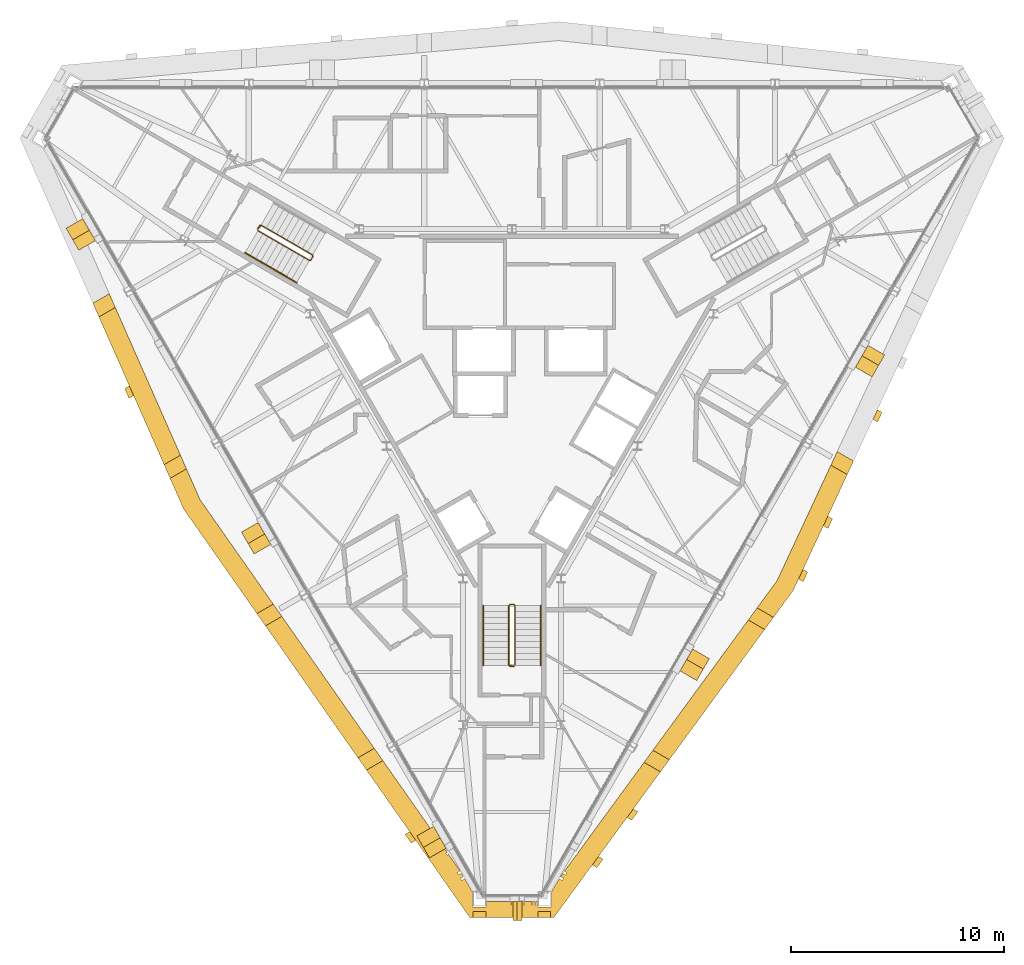
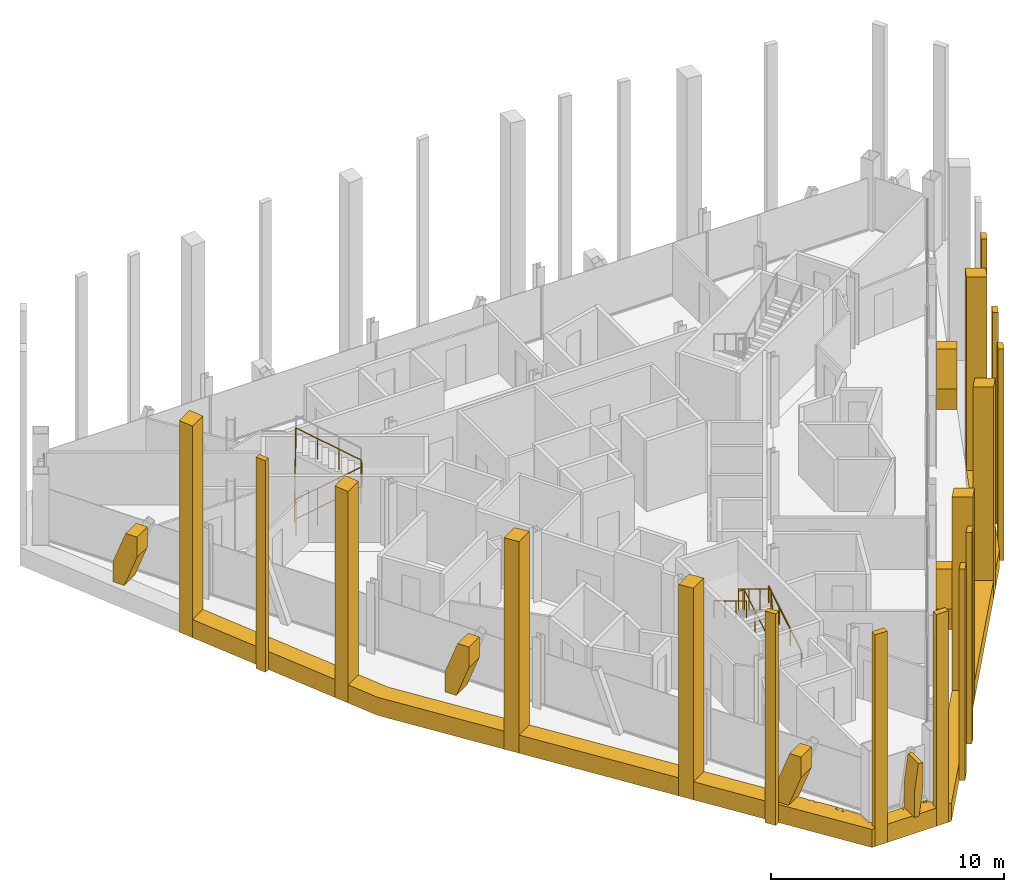
# One storey, part 12 of 13: 28 coverings, 5 railings.
"""IFC4 building model written with IfcOpenShell, lengths in metres."""

from ifc_helpers import new_model, si_unit, direction, frame, origin, origin_2d, place, context, subcontext, project, spatial, polyline, circle, outline, extrude, material, layer, layer_set, type_object, element, save


model = new_model("IFC4")

# Units and contexts
model_context = context("Model", 3, precision=1e-05, world=origin(), true_north=direction((0.0, 1.0)))
body_context = subcontext(model_context, "Body", "Model", "MODEL_VIEW")
ifc_project = project(units=[si_unit("LENGTHUNIT", "METRE"), si_unit("AREAUNIT", "SQUARE_METRE"), si_unit("VOLUMEUNIT", "CUBIC_METRE"), si_unit("PLANEANGLEUNIT", "RADIAN"), si_unit("MASSUNIT", "GRAM", prefix="KILO")], contexts=[model_context])

# Site, building, storey
site_placement = place(None, origin())
site = spatial("IfcSite", under=ifc_project, at=site_placement, CompositionType="ELEMENT")
building_placement = place(site_placement, origin())
building = spatial("IfcBuilding", under=site, at=building_placement, Name="Verrane Prism Tower", CompositionType="ELEMENT")
storey_placement = place(building_placement, frame((0.0, 0.0, 275.10009765625)))
storey = spatial("IfcBuildingStorey", under=building, at=storey_placement, Name="L69", CompositionType="ELEMENT", Elevation=275.10009765625)

# Railings
ifc_material_1 = material(Name="Steel A36 rail and posts, no infill", Category="steel")
railing_type_1 = type_object("IfcRailingType", Name="Stair guard 1100 steel rail and posts", PredefinedType="GUARDRAIL", material=ifc_material_1)
railing_1_placement = place(storey_placement, frame((-11.939453125, 6.72021484375, 0.16796875)))
element("IfcRailing", 1, at=railing_1_placement, inside=storey, type_object=railing_type_1, Name="Stair 2 guard", PredefinedType="GUARDRAIL", context=body_context, shape_type="SweptSolid", body=[
    extrude(circle(Radius=0.02392578125, at=origin_2d()), frame((0.0, 0.0, 1.076171875), z_axis=(0.742366697286, -0.42866220388, 0.514917859203), x_axis=(0.500049511043, 0.865996816683, 0.0)), (0.0, 0.0, 1.0), 3.266357421875),
    extrude(circle(Radius=0.02392578125, at=origin_2d()), frame((2.4248046875, -1.400146484375, 2.7578125), z_axis=(0.965948051503, 0.258736085224, 0.0), x_axis=(-0.258736085224, 0.965948051503, 0.0)), (0.0, 0.0, 1.0), 0.07080078125),
    extrude(circle(Radius=0.02392578125, at=origin_2d()), frame((2.4931640625, -1.3818359375, 2.7578125), z_axis=(0.499158860599, 0.866510491504, 0.0), x_axis=(-0.866510491504, 0.499158860599, 0.0)), (0.0, 0.0, 1.0), 0.199951171875),
    extrude(circle(Radius=0.02392578125, at=origin_2d()), frame((2.593017578125, -1.20849609375, 2.7578125), z_axis=(-0.100385596638, 0.373434419493, 0.922209014446), x_axis=(-0.965715946433, -0.259601060869, 0.0)), (0.0, 0.0, 1.0), 0.182373046875),
    extrude(circle(Radius=0.02392578125, at=origin_2d()), frame((2.57470703125, -1.140380859375, 2.92626953125), z_axis=(-0.742366697286, 0.42866220388, 0.514917859203), x_axis=(-0.500049511043, -0.865996816683, 0.0)), (0.0, 0.0, 1.0), 3.266357421875),
    extrude(circle(Radius=0.02392578125, at=origin_2d()), frame((0.14990234375, 0.259765625, 4.60791015625), z_axis=(-0.04535595117, -0.051675503147, -0.99763343973), x_axis=(0.751567565678, -0.659656118156, 0.0)), (0.0, 0.0, 1.0), 3.708740234375),
    extrude(circle(Radius=0.02392578125, at=origin_2d()), frame((-0.018310546875, 0.068115234375, 0.908203125), z_axis=(0.499158860599, 0.866510491504, 0.0), x_axis=(-0.866510491504, 0.499158860599, 0.0)), (0.0, 0.0, 1.0), 0.199951171875),
    extrude(circle(Radius=0.02099609375, at=origin_2d()), origin(), (0.0, 0.0, 1.0), 1.052001953125),
    extrude(circle(Radius=0.02099609375, at=origin_2d()), frame((0.808349609375, -0.466796875, 0.560546875)), (0.0, 0.0, 1.0), 1.052001953125),
    extrude(circle(Radius=0.02099609375, at=origin_2d()), frame((1.616455078125, -0.933349609375, 1.121337890625)), (0.0, 0.0, 1.0), 1.052001953125),
    extrude(circle(Radius=0.02099609375, at=origin_2d()), frame((2.4248046875, -1.400146484375, 1.681884765625)), (0.0, 0.0, 1.0), 1.052001953125),
    extrude(circle(Radius=0.02099609375, at=origin_2d()), frame((2.4931640625, -1.3818359375, 1.681884765625)), (0.0, 0.0, 1.0), 1.052001953125),
    extrude(circle(Radius=0.02099609375, at=origin_2d()), frame((2.593017578125, -1.20849609375, 1.681884765625)), (0.0, 0.0, 1.0), 1.052001953125),
    extrude(circle(Radius=0.02099609375, at=origin_2d()), frame((2.57470703125, -1.140380859375, 1.85009765625)), (0.0, 0.0, 1.0), 1.052001953125),
    extrude(circle(Radius=0.02099609375, at=origin_2d()), frame((1.766357421875, -0.673583984375, 2.41064453125)), (0.0, 0.0, 1.0), 1.052001953125),
    extrude(circle(Radius=0.02099609375, at=origin_2d()), frame((0.958251953125, -0.20703125, 2.971435546875)), (0.0, 0.0, 1.0), 1.052001953125),
    extrude(circle(Radius=0.02099609375, at=origin_2d()), frame((0.14990234375, 0.259765625, 3.531982421875)), (0.0, 0.0, 1.0), 1.052001953125),
    extrude(circle(Radius=0.02099609375, at=origin_2d()), frame((0.10791015625, 0.2119140625, 2.60693359375)), (0.0, 0.0, 1.0), 1.052001953125),
    extrude(circle(Radius=0.02099609375, at=origin_2d()), frame((0.06591796875, 0.1640625, 1.68212890625)), (0.0, 0.0, 1.0), 1.052001953125),
    extrude(circle(Radius=0.02099609375, at=origin_2d()), frame((0.023681640625, 0.115966796875, 0.757080078125)), (0.0, 0.0, 1.0), 1.052001953125),
    extrude(circle(Radius=0.02099609375, at=origin_2d()), frame((-0.018310546875, 0.068115234375, -0.16796875)), (0.0, 0.0, 1.0), 1.052001953125),
    extrude(circle(Radius=0.02099609375, at=origin_2d()), frame((0.08154296875, 0.241455078125, -0.16796875)), (0.0, 0.0, 1.0), 1.052001953125),
])
railing_2_placement = place(storey_placement, frame((0.14990234375, -13.699951171875, 0.16796875)))
element("IfcRailing", 2, at=railing_2_placement, inside=storey, type_object=railing_type_1, Name="Stair 3 guard", PredefinedType="GUARDRAIL", context=body_context, shape_type="SweptSolid", body=[
    extrude(circle(Radius=0.02392578125, at=origin_2d()), frame((0.0, 0.0, 1.076171875), z_axis=(0.0, 0.857242210791, 0.514913383045), x_axis=(-1.0, 0.0, 0.0)), (0.0, 0.0, 1.0), 3.266357421875),
    extrude(circle(Radius=0.02392578125, at=origin_2d()), frame((0.0, 2.800048828125, 2.7578125), z_axis=(-0.707106781187, 0.707106781187, 0.0), x_axis=(-0.707106781187, -0.707106781187, 0.0)), (0.0, 0.0, 1.0), 0.0703125),
    extrude(circle(Radius=0.02392578125, at=origin_2d()), frame((-0.0498046875, 2.849853515625, 2.7578125), z_axis=(-1.0, 0.0, 0.0), x_axis=(0.0, -1.0, 0.0)), (0.0, 0.0, 1.0), 0.2001953125),
    extrude(circle(Radius=0.02392578125, at=origin_2d()), frame((-0.25, 2.849853515625, 2.7578125), z_axis=(-0.273106073848, -0.273106073848, 0.922402376869), x_axis=(0.707106781187, -0.707106781187, 0.0)), (0.0, 0.0, 1.0), 0.182373046875),
    extrude(circle(Radius=0.02392578125, at=origin_2d()), frame((-0.2998046875, 2.800048828125, 2.92626953125), z_axis=(0.0, -0.857242210791, 0.514913383045), x_axis=(1.0, 0.0, 0.0)), (0.0, 0.0, 1.0), 3.266357421875),
    extrude(circle(Radius=0.02392578125, at=origin_2d()), frame((-0.2998046875, 0.0, 4.60791015625), z_axis=(0.067408604812, -0.013494886706, -0.997634185476), x_axis=(0.196300278283, 0.98054382908, 0.0)), (0.0, 0.0, 1.0), 3.708740234375),
    extrude(circle(Radius=0.02392578125, at=origin_2d()), frame((-0.0498046875, -0.050048828125, 0.908203125), z_axis=(-1.0, 0.0, 0.0), x_axis=(0.0, -1.0, 0.0)), (0.0, 0.0, 1.0), 0.2001953125),
    extrude(circle(Radius=0.02099609375, at=origin_2d()), origin(), (0.0, 0.0, 1.0), 1.052001953125),
    extrude(circle(Radius=0.02099609375, at=origin_2d()), frame((0.0, 0.933349609375, 0.560546875)), (0.0, 0.0, 1.0), 1.052001953125),
    extrude(circle(Radius=0.02099609375, at=origin_2d()), frame((0.0, 1.86669921875, 1.121337890625)), (0.0, 0.0, 1.0), 1.052001953125),
    extrude(circle(Radius=0.02099609375, at=origin_2d()), frame((0.0, 2.800048828125, 1.681884765625)), (0.0, 0.0, 1.0), 1.052001953125),
    extrude(circle(Radius=0.02099609375, at=origin_2d()), frame((-0.0498046875, 2.849853515625, 1.681884765625)), (0.0, 0.0, 1.0), 1.052001953125),
    extrude(circle(Radius=0.02099609375, at=origin_2d()), frame((-0.25, 2.849853515625, 1.681884765625)), (0.0, 0.0, 1.0), 1.052001953125),
    extrude(circle(Radius=0.02099609375, at=origin_2d()), frame((-0.2998046875, 2.800048828125, 1.85009765625)), (0.0, 0.0, 1.0), 1.052001953125),
    extrude(circle(Radius=0.02099609375, at=origin_2d()), frame((-0.2998046875, 1.86669921875, 2.41064453125)), (0.0, 0.0, 1.0), 1.052001953125),
    extrude(circle(Radius=0.02099609375, at=origin_2d()), frame((-0.2998046875, 0.933349609375, 2.971435546875)), (0.0, 0.0, 1.0), 1.052001953125),
    extrude(circle(Radius=0.02099609375, at=origin_2d()), frame((-0.2998046875, 0.0, 3.531982421875)), (0.0, 0.0, 1.0), 1.052001953125),
    extrude(circle(Radius=0.02099609375, at=origin_2d()), frame((-0.2373046875, -0.012451171875, 2.60693359375)), (0.0, 0.0, 1.0), 1.052001953125),
    extrude(circle(Radius=0.02099609375, at=origin_2d()), frame((-0.1748046875, -0.02490234375, 1.68212890625)), (0.0, 0.0, 1.0), 1.052001953125),
    extrude(circle(Radius=0.02099609375, at=origin_2d()), frame((-0.1123046875, -0.03759765625, 0.757080078125)), (0.0, 0.0, 1.0), 1.052001953125),
    extrude(circle(Radius=0.02099609375, at=origin_2d()), frame((-0.0498046875, -0.050048828125, -0.16796875)), (0.0, 0.0, 1.0), 1.052001953125),
    extrude(circle(Radius=0.02099609375, at=origin_2d()), frame((-0.25, -0.050048828125, -0.16796875)), (0.0, 0.0, 1.0), 1.052001953125),
])
ifc_material_2 = material(Name="Steel A36 tube", Category="steel")
railing_type_2 = type_object("IfcRailingType", Name="Stair handrail 900 steel tube", PredefinedType="HANDRAIL", material=ifc_material_2)
railing_3_placement = place(storey_placement, frame((-12.53955078125, 5.680908203125, 0.16796875)))
element("IfcRailing", 3, at=railing_3_placement, inside=storey, type_object=railing_type_2, Name="Stair 2 handrail", PredefinedType="HANDRAIL", context=body_context, shape_type="SweptSolid", body=[
    extrude(circle(Radius=0.02392578125, at=origin_2d()), frame((0.0, 0.0, 0.8759765625), z_axis=(0.742366697286, -0.42866220388, 0.514917859203), x_axis=(0.500049511043, 0.865996816683, 0.0)), (0.0, 0.0, 1.0), 3.266357421875),
    extrude(circle(Radius=0.02099609375, at=origin_2d()), origin(), (0.0, 0.0, 1.0), 0.851806640625),
    extrude(circle(Radius=0.02099609375, at=origin_2d()), frame((0.808349609375, -0.466796875, 0.560546875)), (0.0, 0.0, 1.0), 0.851806640625),
    extrude(circle(Radius=0.02099609375, at=origin_2d()), frame((1.616455078125, -0.933349609375, 1.121337890625)), (0.0, 0.0, 1.0), 0.851806640625),
    extrude(circle(Radius=0.02099609375, at=origin_2d()), frame((2.4248046875, -1.400146484375, 1.681884765625)), (0.0, 0.0, 1.0), 0.851806640625),
])
railing_4_placement = place(storey_placement, frame((1.35009765625, -13.699951171875, 0.16796875)))
element("IfcRailing", 4, at=railing_4_placement, inside=storey, type_object=railing_type_2, Name="Stair 3 handrail", PredefinedType="HANDRAIL", context=body_context, shape_type="SweptSolid", body=[
    extrude(circle(Radius=0.02392578125, at=origin_2d()), frame((0.0, 0.0, 0.8759765625), z_axis=(0.0, 0.857242210791, 0.514913383045), x_axis=(-1.0, 0.0, 0.0)), (0.0, 0.0, 1.0), 3.266357421875),
    extrude(circle(Radius=0.02099609375, at=origin_2d()), origin(), (0.0, 0.0, 1.0), 0.851806640625),
    extrude(circle(Radius=0.02099609375, at=origin_2d()), frame((0.0, 0.933349609375, 0.560546875)), (0.0, 0.0, 1.0), 0.851806640625),
    extrude(circle(Radius=0.02099609375, at=origin_2d()), frame((0.0, 1.86669921875, 1.121337890625)), (0.0, 0.0, 1.0), 0.851806640625),
    extrude(circle(Radius=0.02099609375, at=origin_2d()), frame((0.0, 2.800048828125, 1.681884765625)), (0.0, 0.0, 1.0), 0.851806640625),
])
railing_5_placement = place(storey_placement, frame((-1.35009765625, -10.89990234375, 2.01806640625)))
element("IfcRailing", 5, at=railing_5_placement, inside=storey, type_object=railing_type_2, Name="Stair 3 handrail", PredefinedType="HANDRAIL", context=body_context, shape_type="SweptSolid", body=[
    extrude(circle(Radius=0.02392578125, at=origin_2d()), frame((0.0, 0.0, 0.8759765625), z_axis=(0.0, -0.857242210791, 0.514913383045), x_axis=(1.0, 0.0, 0.0)), (0.0, 0.0, 1.0), 3.266357421875),
    extrude(circle(Radius=0.02099609375, at=origin_2d()), origin(), (0.0, 0.0, 1.0), 0.851806640625),
    extrude(circle(Radius=0.02099609375, at=origin_2d()), frame((0.0, -0.933349609375, 0.560546875)), (0.0, 0.0, 1.0), 0.851806640625),
    extrude(circle(Radius=0.02099609375, at=origin_2d()), frame((0.0, -1.86669921875, 1.121337890625)), (0.0, 0.0, 1.0), 0.851806640625),
    extrude(circle(Radius=0.02099609375, at=origin_2d()), frame((0.0, -2.800048828125, 1.681884765625)), (0.0, 0.0, 1.0), 0.851806640625),
])

# Coverings
ifc_material_3 = material(Name="Warm limestone cladding", Category="masonry")
ifc_layer_1 = layer(ifc_material_3, 0.89990234375)
ifc_layer_set_1 = layer_set([ifc_layer_1], Name="Stone brace fin 900")
covering_type_1 = type_object("IfcCoveringType", Name="Stone brace fin 900", PredefinedType="CLADDING", material=ifc_layer_set_1)
covering_1_placement = place(storey_placement, frame((-20.55712890625, 7.05517578125, 0.0), z_axis=(0.0, 0.0, 1.0), x_axis=(0.499811481546, -0.86613421761, 0.0)))
element("IfcCovering", 6, at=covering_1_placement, inside=storey, type_object=covering_type_1, Name="Stone brace fin SW1 L69", PredefinedType="CLADDING", context=body_context, shape_type="SweptSolid", body=[
    extrude(outline(polyline([(1.18701171875, 2.75), (0.62158203125, 2.75), (0.0, 1.075927734375), (0.0, 0.0), (0.560546875, 0.0), (1.18701171875, 1.686767578125), (1.18701171875, 2.75)])), frame((0.0, 0.449951171875, 0.0), z_axis=(0.0, -1.0, 0.0), x_axis=(1.0, 0.0, 0.0)), (0.0, 0.0, 1.0), 0.89990234375),
])
covering_2_placement = place(storey_placement, frame((-12.31689453125, -7.219970703125, 0.0), z_axis=(0.0, 0.0, 1.0), x_axis=(0.500346205489, -0.865825429664, 0.0)))
element("IfcCovering", 7, at=covering_2_placement, inside=storey, type_object=covering_type_1, Name="Stone brace fin SW3 L69", PredefinedType="CLADDING", context=body_context, shape_type="SweptSolid", body=[
    extrude(outline(polyline([(1.185546875, 2.75), (0.62060546875, 2.75), (0.0, 1.0771484375), (0.0, 0.0), (0.560302734375, 0.0), (1.185546875, 1.685546875), (1.185546875, 2.75)])), frame((0.0, 0.449951171875, 0.0), z_axis=(0.0, -1.0, 0.0), x_axis=(1.0, 0.0, 0.0)), (0.0, 0.0, 1.0), 0.89990234375),
])
for number, where, z_axis, x_axis, name in (
    (8, (-4.0771484375, -21.494873046875, 0.0), (0.0, 0.0, 1.0), (0.499900536046, -0.86608282171, 0.0), "Stone brace fin SW5 L69"),
    (9, (8.29052734375, -14.19287109375, 0.0), (0.0, 0.0, 1.0), (0.499811481546, 0.86613421761, 0.0), "Stone brace fin SE2 L69"),
    (10, (16.530517578125, 0.0771484375, 0.0), (0.0, 0.0, 1.0), (0.499811481546, 0.86613421761, 0.0), "Stone brace fin SE4 L69"),
):
    element("IfcCovering", number, at=place(storey_placement, frame(where, z_axis=z_axis, x_axis=x_axis)), inside=storey, type_object=covering_type_1, Name=name, PredefinedType="CLADDING", context=body_context, shape_type="SweptSolid", body=[
        extrude(outline(polyline([(1.18701171875, 2.75), (0.62158203125, 2.75), (0.0, 1.075927734375), (0.0, 0.0), (0.560546875, 0.0), (1.18701171875, 1.686767578125), (1.18701171875, 2.75)])), frame((0.0, 0.449951171875, 0.0), z_axis=(0.0, -1.0, 0.0), x_axis=(1.0, 0.0, 0.0)), (0.0, 0.0, 1.0), 0.89990234375),
    ])
covering_3_placement = place(storey_placement, frame((0.04052734375, -25.2470703125, 0.0), z_axis=(0.0, 0.0, 1.0), x_axis=(1.0, 0.0, 0.0)))
element("IfcCovering", 11, at=covering_3_placement, inside=storey, type_object=covering_type_1, Name="Stone brace fin S1 L69", PredefinedType="CLADDING", context=body_context, shape_type="SweptSolid", body=[
    extrude(outline(polyline([(0.425537109375, 2.75), (0.204345703125, 2.75), (0.0, 1.25732421875), (0.0, 0.0), (0.238525390625, 0.0), (0.425537109375, 1.365478515625), (0.425537109375, 2.75)])), frame((0.0, 0.449951171875, 0.0), z_axis=(0.0, -1.0, 0.0), x_axis=(1.0, 0.0, 0.0)), (0.0, 0.0, 1.0), 0.89990234375),
])
ifc_material_4 = material(Name="Warm limestone cladding", Category="masonry")
covering_type_2 = type_object("IfcCoveringType", Name="Stone corner pier 600", PredefinedType="CLADDING", material=ifc_material_4)
covering_4_placement = place(storey_placement, frame((0.0, 0.0, -0.9501953125)))
element("IfcCovering", 12, at=covering_4_placement, inside=storey, type_object=covering_type_2, Name="Stone pier MC-S.a L69-L71", PredefinedType="CLADDING", context=body_context, shape_type="SweptSolid", body=[
    extrude(outline(polyline([(-1.218994140625, -25.26904296875), (-1.819091796875, -25.26904296875), (-1.819091796875, -25.5537109375), (-1.218994140625, -25.5537109375), (-1.218994140625, -25.26904296875)])), origin(), (0.0, 0.0, 1.0), 11.10009765625),
])
covering_5_placement = place(storey_placement, frame((0.0, 0.0, -0.9501953125)))
element("IfcCovering", 13, at=covering_5_placement, inside=storey, type_object=covering_type_2, Name="Stone pier MC-S.b L69-L71", PredefinedType="CLADDING", context=body_context, shape_type="SweptSolid", body=[
    extrude(outline(polyline([(1.819091796875, -25.26904296875), (1.218994140625, -25.26904296875), (1.218994140625, -25.5537109375), (1.819091796875, -25.5537109375), (1.819091796875, -25.26904296875)])), origin(), (0.0, 0.0, 1.0), 11.10009765625),
])
ifc_material_5 = material(Name="Warm limestone cladding", Category="masonry")
covering_type_3 = type_object("IfcCoveringType", Name="Stone mullion pier 500", PredefinedType="CLADDING", material=ifc_material_5)
covering_6_placement = place(storey_placement, frame((0.0, 0.0, -0.9501953125)))
element("IfcCovering", 14, at=covering_6_placement, inside=storey, type_object=covering_type_3, Name="Stone pier SM-SW1.1 L69-L71", PredefinedType="CLADDING", context=body_context, shape_type="SweptSolid", body=[
    extrude(outline(polyline([(-17.774658203125, -1.0341796875), (-17.977783203125, -0.573974609375), (-18.195556640625, -0.69970703125), (-17.992431640625, -1.159912109375), (-17.774658203125, -1.0341796875)])), origin(), (0.0, 0.0, 1.0), 11.10009765625),
])
covering_7_placement = place(storey_placement, frame((0.0, 0.0, -0.9501953125)))
element("IfcCovering", 15, at=covering_7_placement, inside=storey, type_object=covering_type_3, Name="Stone pier SM-SW4.1 L69-L71", PredefinedType="CLADDING", context=body_context, shape_type="SweptSolid", body=[
    extrude(outline(polyline([(-4.517578125, -21.9306640625), (-4.8056640625, -21.51953125), (-5.02294921875, -21.64501953125), (-4.735107421875, -22.05615234375), (-4.517578125, -21.9306640625)])), origin(), (0.0, 0.0, 1.0), 11.10009765625),
])
covering_8_placement = place(storey_placement, frame((0.0, 0.0, -0.9501953125)))
element("IfcCovering", 16, at=covering_8_placement, inside=storey, type_object=covering_type_3, Name="Stone pier SM-SE0.1 L69-L71", PredefinedType="CLADDING", context=body_context, shape_type="SweptSolid", body=[
    extrude(outline(polyline([(4.0703125, -22.68115234375), (3.7734375, -23.0869140625), (3.9912109375, -23.212646484375), (4.2880859375, -22.806884765625), (4.0703125, -22.68115234375)])), origin(), (0.0, 0.0, 1.0), 11.10009765625),
])
covering_9_placement = place(storey_placement, frame((0.0, 0.0, -0.9501953125)))
element("IfcCovering", 17, at=covering_9_placement, inside=storey, type_object=covering_type_3, Name="Stone pier SM-SE0.2 L69-L71", PredefinedType="CLADDING", context=body_context, shape_type="SweptSolid", body=[
    extrude(outline(polyline([(5.70263671875, -20.451171875), (5.405517578125, -20.85693359375), (5.623291015625, -20.98291015625), (5.92041015625, -20.576904296875), (5.70263671875, -20.451171875)])), origin(), (0.0, 0.0, 1.0), 11.10009765625),
])
covering_10_placement = place(storey_placement, frame((0.0, 0.0, -0.9501953125)))
element("IfcCovering", 18, at=covering_10_placement, inside=storey, type_object=covering_type_3, Name="Stone pier SM-SE2.1 L69-L71", PredefinedType="CLADDING", context=body_context, shape_type="SweptSolid", body=[
    extrude(outline(polyline([(13.67919921875, -9.195068359375), (13.467041015625, -9.650146484375), (13.684326171875, -9.775390625), (13.896484375, -9.320556640625), (13.67919921875, -9.195068359375)])), origin(), (0.0, 0.0, 1.0), 11.10009765625),
])
covering_11_placement = place(storey_placement, frame((0.0, 0.0, -0.9501953125)))
element("IfcCovering", 19, at=covering_11_placement, inside=storey, type_object=covering_type_3, Name="Stone pier SM-SE2.2 L69-L71", PredefinedType="CLADDING", context=body_context, shape_type="SweptSolid", body=[
    extrude(outline(polyline([(14.843994140625, -6.6953125), (14.632080078125, -7.150390625), (14.849365234375, -7.27587890625), (15.061279296875, -6.82080078125), (14.843994140625, -6.6953125)])), origin(), (0.0, 0.0, 1.0), 11.10009765625),
])
covering_12_placement = place(storey_placement, frame((0.0, 0.0, -0.9501953125)))
element("IfcCovering", 20, at=covering_12_placement, inside=storey, type_object=covering_type_3, Name="Stone pier SM-SE3.1 L69-L71", PredefinedType="CLADDING", context=body_context, shape_type="SweptSolid", body=[
    extrude(outline(polyline([(17.174072265625, -1.696044921875), (16.9619140625, -2.15087890625), (17.17919921875, -2.276611328125), (17.391357421875, -1.821533203125), (17.174072265625, -1.696044921875)])), origin(), (0.0, 0.0, 1.0), 11.10009765625),
])
ifc_material_6 = material(Name="Warm limestone cladding", Category="masonry")
covering_type_4 = type_object("IfcCoveringType", Name="Stone pier 700", PredefinedType="CLADDING", material=ifc_material_6)
covering_13_placement = place(storey_placement, frame((0.0, 0.0, -0.9501953125)))
element("IfcCovering", 21, at=covering_13_placement, inside=storey, type_object=covering_type_4, Name="Stone pier PC-SW1 L69-L71", PredefinedType="CLADDING", context=body_context, shape_type="SweptSolid", body=[
    extrude(outline(polyline([(-19.40673828125, 2.66650390625), (-18.635986328125, 3.111572265625), (-18.920166015625, 3.755859375), (-19.69091796875, 3.310791015625), (-19.40673828125, 2.66650390625)])), origin(), (0.0, 0.0, 1.0), 11.10009765625),
])
covering_14_placement = place(storey_placement, frame((0.0, 0.0, -0.9501953125)))
element("IfcCovering", 22, at=covering_14_placement, inside=storey, type_object=covering_type_4, Name="Stone pier PC-SW2 L69-L71", PredefinedType="CLADDING", context=body_context, shape_type="SweptSolid", body=[
    extrude(outline(polyline([(-16.0615234375, -4.918701171875), (-15.290771484375, -4.473876953125), (-15.57470703125, -3.82958984375), (-16.345703125, -4.274658203125), (-16.0615234375, -4.918701171875)])), origin(), (0.0, 0.0, 1.0), 11.10009765625),
])
covering_15_placement = place(storey_placement, frame((0.0, 0.0, -0.9501953125)))
element("IfcCovering", 23, at=covering_15_placement, inside=storey, type_object=covering_type_4, Name="Stone pier PC-SW3 L69-L71", PredefinedType="CLADDING", context=body_context, shape_type="SweptSolid", body=[
    extrude(outline(polyline([(-11.58056640625, -11.848388671875), (-10.811279296875, -11.404296875), (-11.214599609375, -10.828857421875), (-11.983642578125, -11.27294921875), (-11.58056640625, -11.848388671875)])), origin(), (0.0, 0.0, 1.0), 11.10009765625),
])
covering_16_placement = place(storey_placement, frame((0.0, 0.0, -0.9501953125)))
element("IfcCovering", 24, at=covering_16_placement, inside=storey, type_object=covering_type_4, Name="Stone pier PC-SW4 L69-L71", PredefinedType="CLADDING", context=body_context, shape_type="SweptSolid", body=[
    extrude(outline(polyline([(-6.83349609375, -18.624755859375), (-6.064208984375, -18.1806640625), (-6.467529296875, -17.60498046875), (-7.23681640625, -18.04931640625), (-6.83349609375, -18.624755859375)])), origin(), (0.0, 0.0, 1.0), 11.10009765625),
])
covering_17_placement = place(storey_placement, frame((0.0, 0.0, -0.9501953125)))
element("IfcCovering", 25, at=covering_17_placement, inside=storey, type_object=covering_type_4, Name="Stone pier PC-SE1 L69-L71", PredefinedType="CLADDING", context=body_context, shape_type="SweptSolid", body=[
    extrude(outline(polyline([(7.394287109375, -18.14013671875), (6.623291015625, -17.695068359375), (6.20751953125, -18.26318359375), (6.978271484375, -18.708251953125), (7.394287109375, -18.14013671875)])), origin(), (0.0, 0.0, 1.0), 11.10009765625),
])
covering_18_placement = place(storey_placement, frame((0.0, 0.0, -0.9501953125)))
element("IfcCovering", 26, at=covering_18_placement, inside=storey, type_object=covering_type_4, Name="Stone pier PC-SE2 L69-L71", PredefinedType="CLADDING", context=body_context, shape_type="SweptSolid", body=[
    extrude(outline(polyline([(12.29052734375, -11.4501953125), (11.519775390625, -11.005126953125), (11.10400390625, -11.573486328125), (11.874755859375, -12.018310546875), (12.29052734375, -11.4501953125)])), origin(), (0.0, 0.0, 1.0), 11.10009765625),
])
covering_19_placement = place(storey_placement, frame((0.0, 0.0, -0.9501953125)))
element("IfcCovering", 27, at=covering_19_placement, inside=storey, type_object=covering_type_4, Name="Stone pier PC-SE3 L69-L71", PredefinedType="CLADDING", context=body_context, shape_type="SweptSolid", body=[
    extrude(outline(polyline([(16.051513671875, -4.104736328125), (15.2822265625, -3.66064453125), (14.9853515625, -4.297607421875), (15.754638671875, -4.74169921875), (16.051513671875, -4.104736328125)])), origin(), (0.0, 0.0, 1.0), 11.10009765625),
])
ifc_material_7 = material(Name="Warm limestone cladding", Category="masonry")
ifc_layer_2 = layer(ifc_material_7, 0.449951171875)
ifc_layer_set_2 = layer_set([ifc_layer_2], Name="Stone spandrel band 450")
covering_type_5 = type_object("IfcCoveringType", Name="Stone spandrel band 450", PredefinedType="CLADDING", material=ifc_layer_set_2)
covering_20_placement = place(storey_placement, frame((0.0, 0.0, -0.9501953125)))
element("IfcCovering", 28, at=covering_20_placement, inside=storey, type_object=covering_type_5, Name="Stone spandrel band L69 part 2", PredefinedType="CLADDING", context=body_context, shape_type="SweptSolid", body=[
    extrude(outline(polyline([(1.968017578125, -25.5537109375), (6.978271484375, -18.708251953125), (6.20751953125, -18.26318359375), (3.095703125, -22.514892578125), (3.1064453125, -22.52099609375), (3.047607421875, -22.622802734375), (3.02587890625, -22.610107421875), (2.46337890625, -23.37890625), (2.574462890625, -23.443115234375), (2.51318359375, -23.548828125), (2.390625, -23.478271484375), (2.279541015625, -23.6298828125), (2.419677734375, -23.7109375), (2.361083984375, -23.812744140625), (2.2158203125, -23.72900390625), (1.85009765625, -24.3623046875), (1.85009765625, -25.050048828125), (1.18994140625, -25.050048828125), (1.18994140625, -24.802490234375), (1.100830078125, -24.802490234375), (1.100830078125, -24.969970703125), (1.053955078125, -24.969970703125), (1.053955078125, -24.802490234375), (0.972900390625, -24.802490234375), (0.972900390625, -24.969970703125), (0.943359375, -24.969970703125), (0.943359375, -24.802490234375), (0.593994140625, -24.802490234375), (0.593994140625, -24.969970703125), (0.547119140625, -24.969970703125), (0.547119140625, -24.802490234375), (0.466064453125, -24.802490234375), (0.466064453125, -24.969970703125), (0.4365234375, -24.969970703125), (0.4365234375, -24.802490234375), (0.08740234375, -24.802490234375), (0.08740234375, -24.969970703125), (0.04052734375, -24.969970703125), (0.04052734375, -24.802490234375), (-0.04052734375, -24.802490234375), (-0.04052734375, -24.969970703125), (-0.070068359375, -24.969970703125), (-0.070068359375, -24.802490234375), (-1.18994140625, -24.802490234375), (-1.18994140625, -25.050048828125), (-1.85009765625, -25.050048828125), (-1.85009765625, -24.3623046875), (-2.2158203125, -23.72900390625), (-2.361083984375, -23.812744140625), (-2.419677734375, -23.7109375), (-2.2744140625, -23.627197265625), (-2.367919921875, -23.465087890625), (-2.51318359375, -23.548828125), (-2.574462890625, -23.443115234375), (-2.4345703125, -23.3623046875), (-2.979736328125, -22.583740234375), (-3.047607421875, -22.622802734375), (-3.1064453125, -22.52099609375), (-3.047607421875, -22.487060546875), (-3.1552734375, -22.333251953125), (-3.199951171875, -22.35888671875), (-3.260986328125, -22.2529296875), (-3.225830078125, -22.232666015625), (-6.064208984375, -18.1806640625), (-6.83349609375, -18.624755859375), (-1.9794921875, -25.5537109375), (-1.819091796875, -25.5537109375), (-1.819091796875, -25.26904296875), (-1.218994140625, -25.26904296875), (-1.218994140625, -25.5537109375), (1.218994140625, -25.5537109375), (1.218994140625, -25.26904296875), (1.819091796875, -25.26904296875), (1.819091796875, -25.5537109375), (1.968017578125, -25.5537109375)])), origin(), (0.0, 0.0, 1.0), 0.9501953125),
])
covering_21_placement = place(storey_placement, frame((0.0, 0.0, -0.9501953125)))
element("IfcCovering", 29, at=covering_21_placement, inside=storey, type_object=covering_type_5, Name="Stone spandrel band L69 part 4", PredefinedType="CLADDING", context=body_context, shape_type="SweptSolid", body=[
    extrude(outline(polyline([(-15.57470703125, -3.82958984375), (-18.635986328125, 3.111572265625), (-19.40673828125, 2.66650390625), (-16.345703125, -4.274658203125), (-15.57470703125, -3.82958984375)])), origin(), (0.0, 0.0, 1.0), 0.9501953125),
])
covering_22_placement = place(storey_placement, frame((0.0, 0.0, -0.9501953125)))
element("IfcCovering", 30, at=covering_22_placement, inside=storey, type_object=covering_type_5, Name="Stone spandrel band L69 part 5", PredefinedType="CLADDING", context=body_context, shape_type="SweptSolid", body=[
    extrude(outline(polyline([(-11.983642578125, -11.27294921875), (-11.214599609375, -10.828857421875), (-14.652099609375, -5.921630859375), (-15.290771484375, -4.473876953125), (-16.0615234375, -4.918701171875), (-15.4267578125, -6.358154296875), (-11.983642578125, -11.27294921875)])), origin(), (0.0, 0.0, 1.0), 0.9501953125),
])
covering_23_placement = place(storey_placement, frame((0.0, 0.0, -0.9501953125)))
element("IfcCovering", 31, at=covering_23_placement, inside=storey, type_object=covering_type_5, Name="Stone spandrel band L69 part 6", PredefinedType="CLADDING", context=body_context, shape_type="SweptSolid", body=[
    extrude(outline(polyline([(-7.23681640625, -18.04931640625), (-6.467529296875, -17.60498046875), (-10.811279296875, -11.404296875), (-11.58056640625, -11.848388671875), (-7.23681640625, -18.04931640625)])), origin(), (0.0, 0.0, 1.0), 0.9501953125),
])
covering_24_placement = place(storey_placement, frame((0.0, 0.0, -0.9501953125)))
element("IfcCovering", 32, at=covering_24_placement, inside=storey, type_object=covering_type_5, Name="Stone spandrel band L69 part 7", PredefinedType="CLADDING", context=body_context, shape_type="SweptSolid", body=[
    extrude(outline(polyline([(11.874755859375, -12.018310546875), (11.10400390625, -11.573486328125), (6.623291015625, -17.695068359375), (7.394287109375, -18.14013671875), (11.874755859375, -12.018310546875)])), origin(), (0.0, 0.0, 1.0), 0.9501953125),
])
covering_25_placement = place(storey_placement, frame((0.0, 0.0, -0.9501953125)))
element("IfcCovering", 33, at=covering_25_placement, inside=storey, type_object=covering_type_5, Name="Stone spandrel band L69 part 8", PredefinedType="CLADDING", context=body_context, shape_type="SweptSolid", body=[
    extrude(outline(polyline([(14.9853515625, -4.297607421875), (12.454345703125, -9.728515625), (11.519775390625, -11.005126953125), (12.29052734375, -11.4501953125), (13.2197265625, -10.180908203125), (15.754638671875, -4.74169921875), (14.9853515625, -4.297607421875)])), origin(), (0.0, 0.0, 1.0), 0.9501953125),
])

save(model, "model.ifc")
